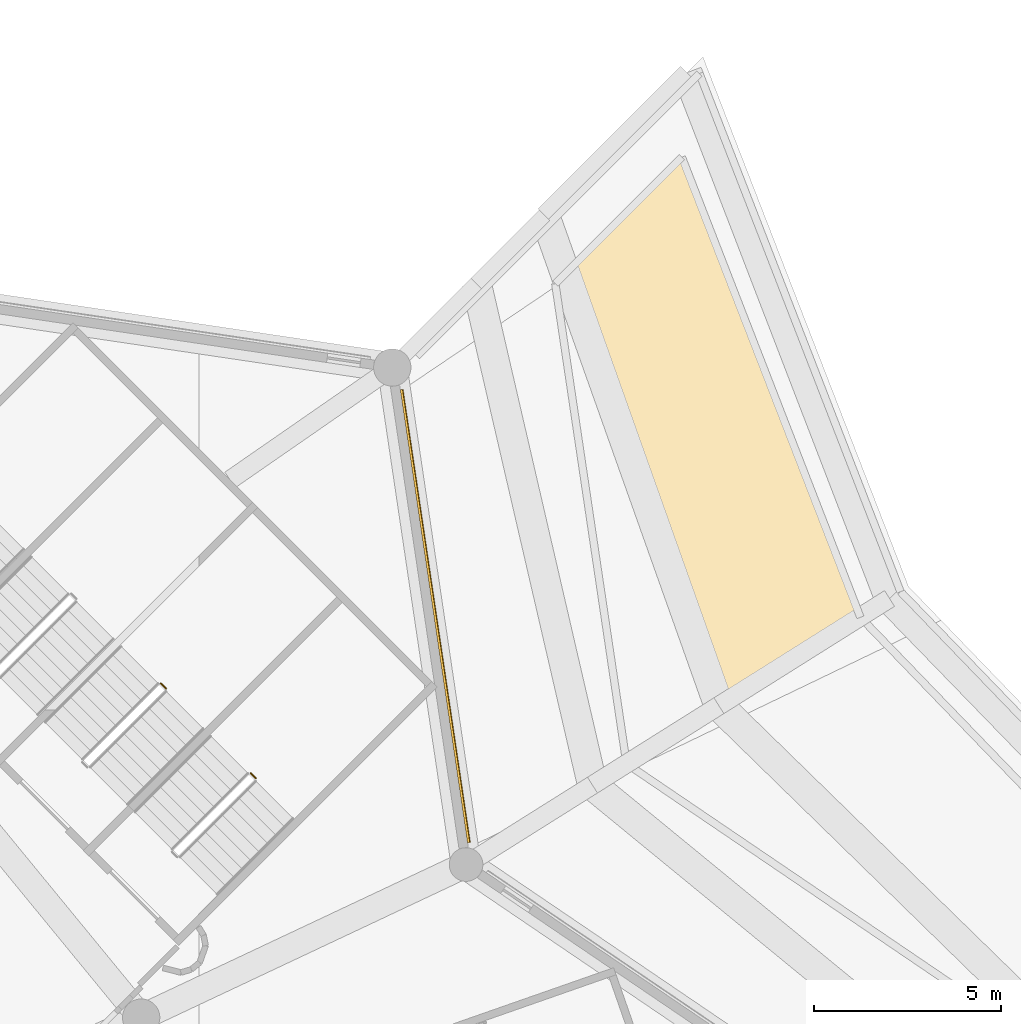
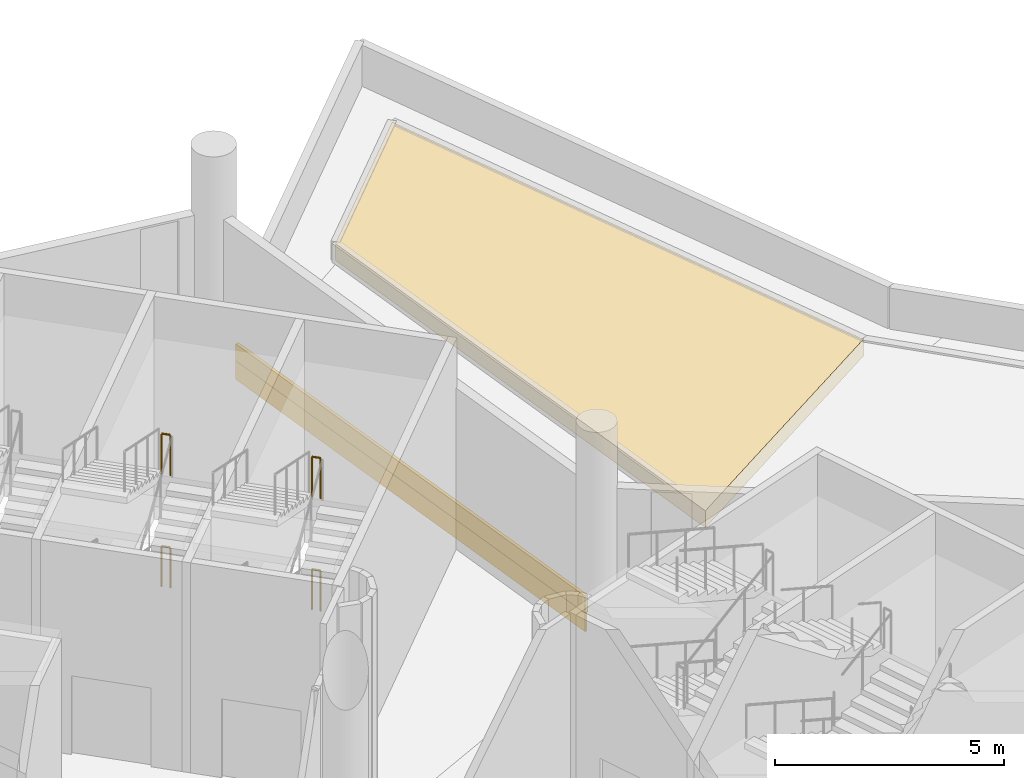
# One storey, part 173 of 173: 4 railings, 3 coverings.
"""IFC4 building model written with IfcOpenShell, lengths in metres."""

from ifc_helpers import new_model, si_unit, direction, frame, origin, origin_2d, place, context, subcontext, project, spatial, polyline, rectangle, circle, outline, extrude, material, layer, layer_set, type_object, element, save


model = new_model("IFC4")

# Units and contexts
model_context = context("Model", 3, precision=1e-05, world=origin(), true_north=direction((0.0, 1.0)))
body_context = subcontext(model_context, "Body", "Model", "MODEL_VIEW")
ifc_project = project(units=[si_unit("LENGTHUNIT", "METRE"), si_unit("AREAUNIT", "SQUARE_METRE"), si_unit("VOLUMEUNIT", "CUBIC_METRE"), si_unit("PLANEANGLEUNIT", "RADIAN"), si_unit("MASSUNIT", "GRAM", prefix="KILO")], contexts=[model_context])

# Site, building, storey
site_placement = place(None, origin())
site = spatial("IfcSite", under=ifc_project, at=site_placement, CompositionType="ELEMENT")
building_placement = place(site_placement, origin())
building = spatial("IfcBuilding", under=site, at=building_placement, Name="Meseta Stadium", CompositionType="ELEMENT")
storey_placement = place(building_placement, frame((0.0, 0.0, 18.0)))
storey = spatial("IfcBuildingStorey", under=building, at=storey_placement, Name="L03", CompositionType="ELEMENT", Elevation=18.0)

# Coverings
ifc_material_1 = material(Name="Guadarrama granite cladding", Category="masonry")
ifc_layer_1 = layer(ifc_material_1, 0.06005859375)
ifc_layer_set_1 = layer_set([ifc_layer_1], Name="Granite plinth cladding 60")
covering_type_1 = type_object("IfcCoveringType", Name="Granite plinth cladding 60", PredefinedType="CLADDING", material=ifc_layer_set_1)
covering_1_placement = place(storey_placement, frame((86.319091796875, 82.51318359375, 0.0), z_axis=(0.0, 0.0, 1.0), x_axis=(0.146853050476, -0.989158319768, 0.0)))
element("IfcCovering", 1, at=covering_1_placement, inside=storey, type_object=covering_type_1, Name="Granite plinth L03 F11", PredefinedType="CLADDING", context=body_context, shape_type="SweptSolid", body=[
    extrude(rectangle(XDim=12.274169921875, YDim=0.06005859375, at=origin_2d()), origin(), (0.0, 0.0, 1.0), 0.5),
])
ifc_material_2 = material(Name="Planting soil")
ifc_layer_2 = layer(ifc_material_2, 0.449951171875)
ifc_layer_set_2 = layer_set([ifc_layer_2], Name="Planting soil 450")
covering_type_2 = type_object("IfcCoveringType", Name="Planting soil 450", PredefinedType="FLOORING", material=ifc_layer_set_2)
covering_2_placement = place(storey_placement, origin())
element("IfcCovering", 2, at=covering_2_placement, inside=storey, type_object=covering_type_2, Name="Roof garden planting bed 1.1 panel 01", PredefinedType="FLOORING", context=body_context, shape_type="SweptSolid", body=[
    extrude(outline(polyline([(89.541259765625, 91.419921875), (91.45068359375, 78.55859375), (97.711181640625, 82.492431640625), (92.931396484375, 94.81005859375), (89.541259765625, 91.419921875)])), origin(), (0.0, 0.0, 1.0), 0.449951171875),
])

# Railings
ifc_material_3 = material(Name="Steel S355", Category="steel")
railing_type = type_object("IfcRailingType", Name="Stair guard 1100", PredefinedType="GUARDRAIL", material=ifc_material_3)
for number, where, name in (
    (3, (81.51806640625, 78.1640625, 1.5), "ST25 L03 guard 2"),
    (4, (81.51806640625, 78.1640625, 4.5), "ST25 L03 guard 6"),
):
    element("IfcRailing", number, at=place(storey_placement, frame(where)), inside=storey, type_object=railing_type, Name=name, PredefinedType="GUARDRAIL", context=body_context, shape_type="SweptSolid", body=[
        extrude(circle(Radius=0.02392578125, at=origin_2d()), frame((0.0, 0.0, 1.076171875), z_axis=(-0.707716618519, 0.706496417452, 0.0), x_axis=(-0.706496417452, -0.707716618519, 0.0)), (0.0, 0.0, 1.0), 0.2001953125),
        extrude(circle(Radius=0.02099609375, at=origin_2d()), origin(), (0.0, 0.0, 1.0), 1.052001953125),
        extrude(circle(Radius=0.02099609375, at=origin_2d()), frame((-0.1416015625, 0.141357421875, 0.0)), (0.0, 0.0, 1.0), 1.052001953125),
    ])
for number, where, name in (
    (5, (79.11376953125, 80.568115234375, 1.5), "ST26 L03 guard 2"),
    (6, (79.11376953125, 80.568115234375, 4.5), "ST26 L03 guard 6"),
):
    element("IfcRailing", number, at=place(storey_placement, frame(where)), inside=storey, type_object=railing_type, Name=name, PredefinedType="GUARDRAIL", context=body_context, shape_type="SweptSolid", body=[
        extrude(circle(Radius=0.02392578125, at=origin_2d()), frame((0.0, 0.0, 1.076171875), z_axis=(-0.706496417452, 0.707716618519, 0.0), x_axis=(-0.707716618519, -0.706496417452, 0.0)), (0.0, 0.0, 1.0), 0.2001953125),
        extrude(circle(Radius=0.02099609375, at=origin_2d()), origin(), (0.0, 0.0, 1.0), 1.052001953125),
        extrude(circle(Radius=0.02099609375, at=origin_2d()), frame((-0.141357421875, 0.1416015625, 0.0)), (0.0, 0.0, 1.0), 1.052001953125),
    ])

# Covering
ifc_material_4 = material(Name="Precast concrete C40/50, terracotta pigment", Category="masonry")
ifc_layer_3 = layer(ifc_material_4, 0.080078125)
ifc_layer_set_3 = layer_set([ifc_layer_3], Name="Precast concrete C40/50, terracotta pigment")
covering_type_3 = type_object("IfcCoveringType", Name="Terracotta precast band 80", PredefinedType="CLADDING", material=ifc_layer_set_3)
covering_3_placement = place(storey_placement, frame((86.3291015625, 82.514892578125, 0.5), z_axis=(0.0, 0.0, 1.0), x_axis=(0.146853050476, -0.989158319768, 0.0)))
element("IfcCovering", 7, at=covering_3_placement, inside=storey, type_object=covering_type_3, Name="Terracotta band L03 F11", PredefinedType="CLADDING", context=body_context, shape_type="SweptSolid", body=[
    extrude(rectangle(XDim=12.274169921875, YDim=0.080078125, at=origin_2d()), origin(), (0.0, 0.0, 1.0), 0.449951171875),
])

save(model, "model.ifc")
